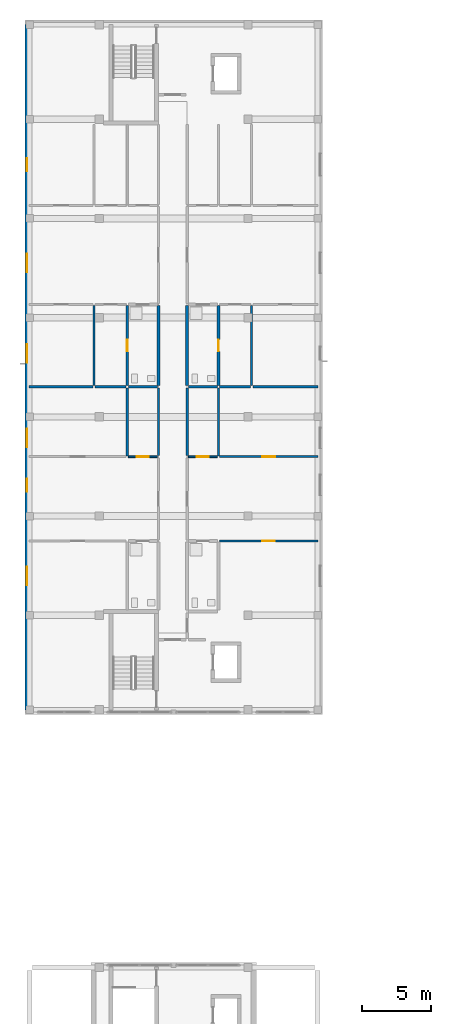
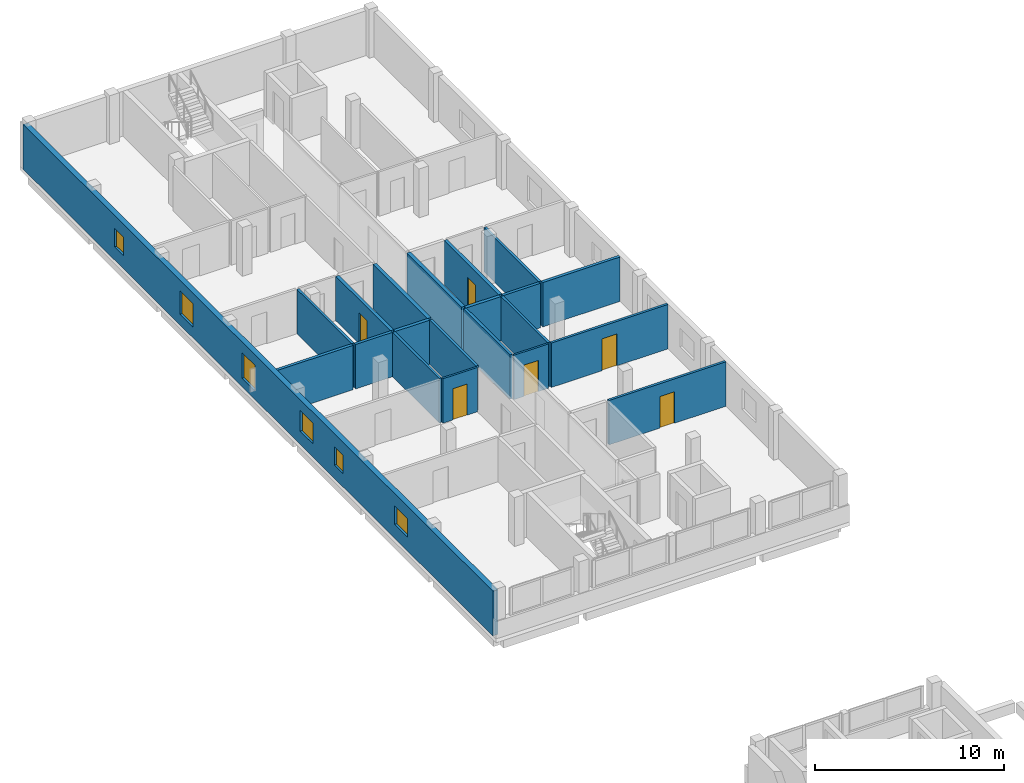
# One storey, part 14 of 34: 21 walls, 6 doors, 6 windows, 12 openings.
"""IFC4 building model written with IfcOpenShell, lengths in metres."""

from ifc_helpers import new_model, si_unit, derived_unit, direction, frame, frame_2d, origin, place, context, subcontext, project, spatial, rectangle, extrude, material, layer, layer_set, type_object, element, fill, save


model = new_model("IFC4")

# Units and contexts
model_context = context("Model", 3, precision=1e-05, world=origin(), true_north=direction((0.0, 1.0)))
body_context = subcontext(model_context, "Body", "Model", "MODEL_VIEW")
ifc_project = project(units=[si_unit("LENGTHUNIT", "METRE"), si_unit("AREAUNIT", "SQUARE_METRE"), si_unit("VOLUMEUNIT", "CUBIC_METRE"), si_unit("PLANEANGLEUNIT", "RADIAN"), si_unit("MASSUNIT", "GRAM", prefix="KILO"), derived_unit("THERMALTRANSMITTANCEUNIT", [(si_unit("MASSUNIT", "GRAM", prefix="KILO"), 1), (si_unit("TIMEUNIT", "SECOND"), -3), (si_unit("THERMODYNAMICTEMPERATUREUNIT", "KELVIN"), -1)])], contexts=[model_context])

# Site, building, storey
site_placement = place(None, origin())
site = spatial("IfcSite", under=ifc_project, at=site_placement, CompositionType="ELEMENT")
building_placement = place(site_placement, origin())
building = spatial("IfcBuilding", under=site, at=building_placement, Name="Ochrekiln Boulevard Commons", CompositionType="ELEMENT")
storey_placement = place(building_placement, frame((0.0, 0.0, 27.824951171875)))
storey = spatial("IfcBuildingStorey", under=building, at=storey_placement, Name="L08", CompositionType="ELEMENT", Elevation=27.824951171875)

# Wall, openings, windows
ifc_material_1 = material(Name="Desert ochre clinker brick masonry ASTM C216 Grade SW", Category="masonry")
ifc_layer_1 = layer(ifc_material_1, 0.320068359375)
ifc_layer_set_1 = layer_set([ifc_layer_1], Name="Desert ochre clinker brick masonry ASTM C216 Grade SW")
wall_type_1 = type_object("IfcWallType", Name="WL-EXT-OCHRE-320", PredefinedType="SOLIDWALL", material=ifc_layer_set_1)
wall_1_placement = place(storey_placement, frame((0.159912109375, 68.719970703125, 0.0), z_axis=(0.0, 0.0, 1.0), x_axis=(0.0, 1.0, 0.0)))
wall_1 = element("IfcWall", 1, at=wall_1_placement, inside=storey, type_object=wall_type_1, Name="Block A L08 W Exterior Wall", PredefinedType="SOLIDWALL", context=body_context, shape_type="SweptSolid", body=[
    extrude(rectangle(XDim=49.760009765625, YDim=0.320068359375, at=frame_2d((24.8798828125, 0.0))), origin(), (0.0, 0.0, 1.0), 2.89013671875),
])
opening_1_placement = place(wall_1_placement, frame((15.85498046875, 0.0, 0.85009765625)))
opening_1 = element("IfcOpeningElement", 2, at=opening_1_placement, cuts=wall_1, Name="Opening W-01", PredefinedType="OPENING", context=body_context, shape_type="SweptSolid", body=[
    extrude(rectangle(XDim=0.949951171875, YDim=1.199951171875, at=frame_2d((0.47509765625, 0.60009765625))), frame((0.0, 0.169921875, 0.0), z_axis=(0.0, -1.0, 0.0), x_axis=(1.0, 0.0, 0.0)), (0.0, 0.0, 1.0), 0.340087890625),
])
opening_2_placement = place(wall_1_placement, frame((9.06103515625, 0.0, 0.89990234375)))
opening_2 = element("IfcOpeningElement", 3, at=opening_2_placement, cuts=wall_1, Name="Opening W-21", PredefinedType="OPENING", context=body_context, shape_type="SweptSolid", body=[
    extrude(rectangle(XDim=1.35009765625, YDim=1.199951171875, at=frame_2d((0.675048828125, 0.60009765625))), frame((0.0, 0.169921875, 0.0), z_axis=(0.0, -1.0, 0.0), x_axis=(1.0, 0.0, 0.0)), (0.0, 0.0, 1.0), 0.340087890625),
])
opening_3_placement = place(wall_1_placement, frame((19.06494140625, 0.0, 0.85498046875)))
opening_3 = element("IfcOpeningElement", 4, at=opening_3_placement, cuts=wall_1, Name="Opening W-22", PredefinedType="OPENING", context=body_context, shape_type="SweptSolid", body=[
    extrude(rectangle(XDim=1.35009765625, YDim=1.35009765625, at=frame_2d((0.675048828125, 0.675048828125))), frame((0.0, 0.169921875, 0.0), z_axis=(0.0, -1.0, 0.0), x_axis=(1.0, 0.0, 0.0)), (0.0, 0.0, 1.0), 0.340087890625),
])
opening_4_placement = place(wall_1_placement, frame((31.783935546875, 0.0, 0.705078125)))
opening_4 = element("IfcOpeningElement", 5, at=opening_4_placement, cuts=wall_1, Name="Opening W-23", PredefinedType="OPENING", context=body_context, shape_type="SweptSolid", body=[
    extrude(rectangle(XDim=1.35009765625, YDim=1.5, at=frame_2d((0.675048828125, 0.75))), frame((0.0, 0.169921875, 0.0), z_axis=(0.0, -1.0, 0.0), x_axis=(1.0, 0.0, 0.0)), (0.0, 0.0, 1.0), 0.340087890625),
])
opening_5_placement = place(wall_1_placement, frame((25.2109375, 0.0, 0.554931640625)))
opening_5 = element("IfcOpeningElement", 6, at=opening_5_placement, cuts=wall_1, Name="Opening W-24", PredefinedType="OPENING", context=body_context, shape_type="SweptSolid", body=[
    extrude(rectangle(XDim=1.35009765625, YDim=1.64990234375, at=frame_2d((0.675048828125, 0.824951171875))), frame((0.0, 0.169921875, 0.0), z_axis=(0.0, -1.0, 0.0), x_axis=(1.0, 0.0, 0.0)), (0.0, 0.0, 1.0), 0.340087890625),
])
opening_6_placement = place(wall_1_placement, frame((39.113037109375, 0.0, 0.85009765625)))
opening_6 = element("IfcOpeningElement", 7, at=opening_6_placement, cuts=wall_1, Name="Opening W-01", PredefinedType="OPENING", context=body_context, shape_type="SweptSolid", body=[
    extrude(rectangle(XDim=0.949951171875, YDim=1.199951171875, at=frame_2d((0.47509765625, 0.60009765625))), frame((0.0, 0.169921875, 0.0), z_axis=(0.0, -1.0, 0.0), x_axis=(1.0, 0.0, 0.0)), (0.0, 0.0, 1.0), 0.340087890625),
])
ifc_material_2 = material(Name="Thermally broken aluminium-clad oak frame", Category="aluminium")
window_type_1 = type_object("IfcWindowType", Name="WIN-EXT-01", PartitioningType="SINGLE_PANEL", PredefinedType="WINDOW", material=ifc_material_2)
window_1_placement = place(opening_1_placement, origin())
window_1 = element("IfcWindow", 8, at=window_1_placement, inside=storey, type_object=window_type_1, Name="Block A L08 Punched Masonry Window W-01", OverallHeight=1.199951171875, OverallWidth=0.949951171875, PartitioningType="SINGLE_PANEL", PredefinedType="WINDOW", context=body_context, shape_type="SweptSolid", body=[
    extrude(rectangle(XDim=0.949951171875, YDim=1.199951171875, at=frame_2d((0.47509765625, 0.60009765625))), frame((0.0, 0.030029296875, 0.0), z_axis=(0.0, -1.0, 0.0), x_axis=(1.0, 0.0, 0.0)), (0.0, 0.0, 1.0), 0.06005859375),
])
fill(opening_1, window_1)
window_2_placement = place(opening_6_placement, origin())
window_2 = element("IfcWindow", 9, at=window_2_placement, inside=storey, type_object=window_type_1, Name="Block A L08 Punched Masonry Window W-01", OverallHeight=1.199951171875, OverallWidth=0.949951171875, PartitioningType="SINGLE_PANEL", PredefinedType="WINDOW", context=body_context, shape_type="SweptSolid", body=[
    extrude(rectangle(XDim=0.949951171875, YDim=1.199951171875, at=frame_2d((0.47509765625, 0.60009765625))), frame((0.0, 0.030029296875, 0.0), z_axis=(0.0, -1.0, 0.0), x_axis=(1.0, 0.0, 0.0)), (0.0, 0.0, 1.0), 0.06005859375),
])
fill(opening_6, window_2)
window_type_2 = type_object("IfcWindowType", Name="WIN-EXT-21", PartitioningType="SINGLE_PANEL", PredefinedType="WINDOW", material=ifc_material_2)
window_3_placement = place(opening_2_placement, origin())
window_3 = element("IfcWindow", 10, at=window_3_placement, inside=storey, type_object=window_type_2, Name="Block A L08 Punched Masonry Window W-21", OverallHeight=1.199951171875, OverallWidth=1.35009765625, PartitioningType="SINGLE_PANEL", PredefinedType="WINDOW", context=body_context, shape_type="SweptSolid", body=[
    extrude(rectangle(XDim=1.35009765625, YDim=1.199951171875, at=frame_2d((0.675048828125, 0.60009765625))), frame((0.0, 0.030029296875, 0.0), z_axis=(0.0, -1.0, 0.0), x_axis=(1.0, 0.0, 0.0)), (0.0, 0.0, 1.0), 0.06005859375),
])
fill(opening_2, window_3)
window_type_3 = type_object("IfcWindowType", Name="WIN-EXT-22", PartitioningType="SINGLE_PANEL", PredefinedType="WINDOW", material=ifc_material_2)
window_4_placement = place(opening_3_placement, origin())
window_4 = element("IfcWindow", 11, at=window_4_placement, inside=storey, type_object=window_type_3, Name="Block A L08 Punched Masonry Window W-22", OverallHeight=1.35009765625, OverallWidth=1.35009765625, PartitioningType="SINGLE_PANEL", PredefinedType="WINDOW", context=body_context, shape_type="SweptSolid", body=[
    extrude(rectangle(XDim=1.35009765625, YDim=1.35009765625, at=frame_2d((0.675048828125, 0.675048828125))), frame((0.0, 0.030029296875, 0.0), z_axis=(0.0, -1.0, 0.0), x_axis=(1.0, 0.0, 0.0)), (0.0, 0.0, 1.0), 0.06005859375),
])
fill(opening_3, window_4)
window_type_4 = type_object("IfcWindowType", Name="WIN-EXT-23", PartitioningType="SINGLE_PANEL", PredefinedType="WINDOW", material=ifc_material_2)
window_5_placement = place(opening_4_placement, origin())
window_5 = element("IfcWindow", 12, at=window_5_placement, inside=storey, type_object=window_type_4, Name="Block A L08 Punched Masonry Window W-23", OverallHeight=1.5, OverallWidth=1.35009765625, PartitioningType="SINGLE_PANEL", PredefinedType="WINDOW", context=body_context, shape_type="SweptSolid", body=[
    extrude(rectangle(XDim=1.35009765625, YDim=1.5, at=frame_2d((0.675048828125, 0.75))), frame((0.0, 0.030029296875, 0.0), z_axis=(0.0, -1.0, 0.0), x_axis=(1.0, 0.0, 0.0)), (0.0, 0.0, 1.0), 0.06005859375),
])
fill(opening_4, window_5)
window_type_5 = type_object("IfcWindowType", Name="WIN-EXT-24", PartitioningType="SINGLE_PANEL", PredefinedType="WINDOW", material=ifc_material_2)
window_6_placement = place(opening_5_placement, origin())
window_6 = element("IfcWindow", 13, at=window_6_placement, inside=storey, type_object=window_type_5, Name="Block A L08 Punched Masonry Window W-24", OverallHeight=1.64990234375, OverallWidth=1.35009765625, PartitioningType="SINGLE_PANEL", PredefinedType="WINDOW", context=body_context, shape_type="SweptSolid", body=[
    extrude(rectangle(XDim=1.35009765625, YDim=1.64990234375, at=frame_2d((0.675048828125, 0.824951171875))), frame((0.0, 0.030029296875, 0.0), z_axis=(0.0, -1.0, 0.0), x_axis=(1.0, 0.0, 0.0)), (0.0, 0.0, 1.0), 0.06005859375),
])
fill(opening_5, window_6)

# Wall
ifc_material_3 = material(Name="Moisture-resistant cementitious tile backer wall")
ifc_layer_2 = layer(ifc_material_3, 0.199951171875)
ifc_layer_set_2 = layer_set([ifc_layer_2], Name="Moisture-resistant cementitious tile backer wall")
wall_type_2 = type_object("IfcWallType", Name="WL-PLM-200", PredefinedType="PLUMBINGWALL", material=ifc_layer_set_2)
wall_2_placement = place(storey_placement, frame((7.52001953125, 92.19189453125, 0.0), z_axis=(0.0, 0.0, 1.0), x_axis=(1.0, 0.0, 0.0)))
element("IfcWall", 14, at=wall_2_placement, inside=storey, type_object=wall_type_2, Name="L08 Interior Wall W-PW200", PredefinedType="PLUMBINGWALL", context=body_context, shape_type="SweptSolid", body=[
    extrude(rectangle(XDim=2.10791015625, YDim=0.199951171875, at=frame_2d((1.053955078125, 0.0))), origin(), (0.0, 0.0, 1.0), 2.8701171875),
])

# Wall, opening, door
wall_3_placement = place(storey_placement, frame((7.43994140625, 92.281982421875, 0.0), z_axis=(0.0, 0.0, 1.0), x_axis=(0.0, 1.0, 0.0)))
wall_3 = element("IfcWall", 15, at=wall_3_placement, inside=storey, type_object=wall_type_2, Name="L08 Interior Wall W-PW200", PredefinedType="PLUMBINGWALL", context=body_context, shape_type="SweptSolid", body=[
    extrude(rectangle(XDim=5.804931640625, YDim=0.199951171875, at=frame_2d((2.90234375, 0.0))), origin(), (0.0, 0.0, 1.0), 2.8701171875),
])
opening_7_placement = place(wall_3_placement, frame((2.467041015625, 0.0, 0.0)))
opening_7 = element("IfcOpeningElement", 16, at=opening_7_placement, cuts=wall_3, Name="Opening D-L08-1019", PredefinedType="OPENING", context=body_context, shape_type="SweptSolid", body=[
    extrude(rectangle(XDim=0.85009765625, YDim=2.010009765625, at=frame_2d((0.425048828125, 1.0048828125))), frame((0.0, 0.10986328125, 0.0), z_axis=(0.0, -1.0, 0.0), x_axis=(1.0, 0.0, 0.0)), (0.0, 0.0, 1.0), 0.219970703125),
])
ifc_material_4 = material(Name="Solid core architectural oak door leaf")
door_type_1 = type_object("IfcDoorType", Name="DR-INT-KIT-085", OperationType="NOTDEFINED", PredefinedType="DOOR", material=ifc_material_4)
door_1_placement = place(opening_7_placement, frame((0.85009765625, 0.0, 0.0), z_axis=(0.0, 0.0, 1.0), x_axis=(-1.0, 0.0, 0.0)))
door_1 = element("IfcDoor", 17, at=door_1_placement, inside=storey, type_object=door_type_1, Name="L08 Interior Door to Apartment Bathroom", OperationType="SINGLE_SWING_LEFT", OverallHeight=2.010009765625, OverallWidth=0.85009765625, PredefinedType="DOOR", context=body_context, shape_type="SweptSolid", body=[
    extrude(rectangle(XDim=0.85009765625, YDim=2.010009765625, at=frame_2d((0.425048828125, 1.0048828125))), frame((0.0, 0.02490234375, 0.0), z_axis=(0.0, -1.0, 0.0), x_axis=(1.0, 0.0, 0.0)), (0.0, 0.0, 1.0), 0.050048828125),
])
fill(opening_7, door_1)

# Wall
wall_4_placement = place(storey_placement, frame((11.8720703125, 92.19189453125, 0.0), z_axis=(0.0, 0.0, 1.0), x_axis=(1.0, 0.0, 0.0)))
element("IfcWall", 18, at=wall_4_placement, inside=storey, type_object=wall_type_2, Name="L08 Interior Wall W-PW200", PredefinedType="PLUMBINGWALL", context=body_context, shape_type="SweptSolid", body=[
    extrude(rectangle(XDim=2.113037109375, YDim=0.199951171875, at=frame_2d((1.056640625, 0.0))), origin(), (0.0, 0.0, 1.0), 2.8701171875),
])

# Wall, opening, door
wall_5_placement = place(storey_placement, frame((14.06005859375, 92.281982421875, 0.0), z_axis=(0.0, 0.0, 1.0), x_axis=(0.0, 1.0, 0.0)))
wall_5 = element("IfcWall", 19, at=wall_5_placement, inside=storey, type_object=wall_type_2, Name="L08 Interior Wall W-PW200", PredefinedType="PLUMBINGWALL", context=body_context, shape_type="SweptSolid", body=[
    extrude(rectangle(XDim=5.804931640625, YDim=0.199951171875, at=frame_2d((2.90234375, 0.0))), origin(), (0.0, 0.0, 1.0), 2.8701171875),
])
opening_8_placement = place(wall_5_placement, frame((2.467041015625, 0.0, 0.0)))
opening_8 = element("IfcOpeningElement", 20, at=opening_8_placement, cuts=wall_5, Name="Opening D-L08-1030", PredefinedType="OPENING", context=body_context, shape_type="SweptSolid", body=[
    extrude(rectangle(XDim=0.85009765625, YDim=2.010009765625, at=frame_2d((0.425048828125, 1.0048828125))), frame((0.0, 0.10986328125, 0.0), z_axis=(0.0, -1.0, 0.0), x_axis=(1.0, 0.0, 0.0)), (0.0, 0.0, 1.0), 0.219970703125),
])
door_2_placement = place(opening_8_placement, origin())
door_2 = element("IfcDoor", 21, at=door_2_placement, inside=storey, type_object=door_type_1, Name="L08 Interior Door to Apartment Bathroom", OperationType="SINGLE_SWING_RIGHT", OverallHeight=2.010009765625, OverallWidth=0.85009765625, PredefinedType="DOOR", context=body_context, shape_type="SweptSolid", body=[
    extrude(rectangle(XDim=0.85009765625, YDim=2.010009765625, at=frame_2d((0.425048828125, 1.0048828125))), frame((0.0, 0.02490234375, 0.0), z_axis=(0.0, -1.0, 0.0), x_axis=(1.0, 0.0, 0.0)), (0.0, 0.0, 1.0), 0.050048828125),
])
fill(opening_8, door_2)

# Walls
ifc_layer_3 = layer(ifc_material_3, 0.219970703125)
ifc_layer_set_3 = layer_set([ifc_layer_3], Name="Moisture-resistant cementitious tile backer wall")
wall_type_3 = type_object("IfcWallType", Name="WL-PLM-220", PredefinedType="PLUMBINGWALL", material=ifc_layer_set_3)
for number, where, z_axis, x_axis, name in (
    (22, (9.7099609375, 92.281982421875, 0.0), (0.0, 0.0, 1.0), (0.0, 1.0, 0.0), "L08 Interior Wall W-PW220"),
    (23, (11.7900390625, 92.281982421875, 0.0), (0.0, 0.0, 1.0), (0.0, 1.0, 0.0), "L08 Interior Wall W-PW220"),
):
    element("IfcWall", number, at=place(storey_placement, frame(where, z_axis=z_axis, x_axis=x_axis)), inside=storey, type_object=wall_type_3, Name=name, PredefinedType="PLUMBINGWALL", context=body_context, shape_type="SweptSolid", body=[
        extrude(rectangle(XDim=5.784912109375, YDim=0.219970703125, at=frame_2d((2.892578125, 0.0))), origin(), (0.0, 0.0, 1.0), 2.8701171875),
    ])
ifc_material_5 = material(Name="Fire-rated Type X gypsum board on steel studs", Category="steel")
ifc_layer_4 = layer(ifc_material_5, 0.1650390625)
ifc_layer_set_4 = layer_set([ifc_layer_4], Name="Fire-rated Type X gypsum board on steel studs")
wall_type_4 = type_object("IfcWallType", Name="WL-PT-CORR-165", PredefinedType="PARTITIONING", material=ifc_layer_set_4)
for number, where, z_axis, x_axis, name in (
    (24, (9.7099609375, 87.18994140625, 0.0), (0.0, 0.0, 1.0), (0.0, 1.0, 0.0), "L08 Interior Wall W-PC165"),
    (25, (11.7900390625, 87.18994140625, 0.0), (0.0, 0.0, 1.0), (0.0, 1.0, 0.0), "L08 Interior Wall W-PC165"),
):
    element("IfcWall", number, at=place(storey_placement, frame(where, z_axis=z_axis, x_axis=x_axis)), inside=storey, type_object=wall_type_4, Name=name, PredefinedType="PARTITIONING", context=body_context, shape_type="SweptSolid", body=[
        extrude(rectangle(XDim=4.912109375, YDim=0.1650390625, at=frame_2d((2.4560546875, 0.0))), origin(), (0.0, 0.0, 1.0), 2.8701171875),
    ])
ifc_layer_5 = layer(ifc_material_5, 0.179931640625)
ifc_layer_set_5 = layer_set([ifc_layer_5], Name="Fire-rated Type X gypsum board on steel studs")
wall_type_5 = type_object("IfcWallType", Name="WL-PT-DEM-180", PredefinedType="PARTITIONING", material=ifc_layer_set_5)
wall_6_placement = place(storey_placement, frame((0.320068359375, 92.19189453125, 0.0), z_axis=(0.0, 0.0, 1.0), x_axis=(1.0, 0.0, 0.0)))
element("IfcWall", 26, at=wall_6_placement, inside=storey, type_object=wall_type_5, Name="L08 Interior Wall W-PD180", PredefinedType="PARTITIONING", context=body_context, shape_type="SweptSolid", body=[
    extrude(rectangle(XDim=4.6298828125, YDim=0.179931640625, at=frame_2d((2.31494140625, 0.0))), origin(), (0.0, 0.0, 1.0), 2.8701171875),
])
wall_7_placement = place(storey_placement, frame((5.110107421875, 92.19189453125, 0.0), z_axis=(0.0, 0.0, 1.0), x_axis=(1.0, 0.0, 0.0)))
element("IfcWall", 27, at=wall_7_placement, inside=storey, type_object=wall_type_5, Name="L08 Interior Wall W-PD180", PredefinedType="PARTITIONING", context=body_context, shape_type="SweptSolid", body=[
    extrude(rectangle(XDim=2.25, YDim=0.179931640625, at=frame_2d((1.125, 0.0))), origin(), (0.0, 0.0, 1.0), 2.8701171875),
])
wall_8_placement = place(storey_placement, frame((16.550048828125, 92.19189453125, 0.0), z_axis=(0.0, 0.0, 1.0), x_axis=(1.0, 0.0, 0.0)))
element("IfcWall", 28, at=wall_8_placement, inside=storey, type_object=wall_type_5, Name="L08 Interior Wall W-PD180", PredefinedType="PARTITIONING", context=body_context, shape_type="SweptSolid", body=[
    extrude(rectangle(XDim=4.72998046875, YDim=0.179931640625, at=frame_2d((2.364990234375, 0.0))), origin(), (0.0, 0.0, 1.0), 2.8701171875),
])
wall_9_placement = place(storey_placement, frame((14.135009765625, 92.19189453125, 0.0), z_axis=(0.0, 0.0, 1.0), x_axis=(1.0, 0.0, 0.0)))
element("IfcWall", 29, at=wall_9_placement, inside=storey, type_object=wall_type_5, Name="L08 Interior Wall W-PD180", PredefinedType="PARTITIONING", context=body_context, shape_type="SweptSolid", body=[
    extrude(rectangle(XDim=2.2548828125, YDim=0.179931640625, at=frame_2d((1.12744140625, 0.0))), origin(), (0.0, 0.0, 1.0), 2.8701171875),
])

# Wall, opening, door
ifc_layer_6 = layer(ifc_material_5, 0.1201171875)
ifc_layer_set_6 = layer_set([ifc_layer_6], Name="Fire-rated Type X gypsum board on steel studs")
wall_type_6 = type_object("IfcWallType", Name="WL-PT-LGT-120", PredefinedType="PARTITIONING", material=ifc_layer_set_6)
wall_10_placement = place(storey_placement, frame((7.52001953125, 87.110107421875, 0.0), z_axis=(0.0, 0.0, 1.0), x_axis=(1.0, 0.0, 0.0)))
wall_10 = element("IfcWall", 30, at=wall_10_placement, inside=storey, type_object=wall_type_6, Name="L08 Interior Wall W-PL120", PredefinedType="PARTITIONING", context=body_context, shape_type="SweptSolid", body=[
    extrude(rectangle(XDim=2.10791015625, YDim=0.1201171875, at=frame_2d((1.053955078125, 0.0))), origin(), (0.0, 0.0, 1.0), 2.8701171875),
])
opening_9_placement = place(wall_10_placement, frame((0.610107421875, 0.0, 0.0)))
opening_9 = element("IfcOpeningElement", 31, at=opening_9_placement, cuts=wall_10, Name="Opening D-L08-1010", PredefinedType="OPENING", context=body_context, shape_type="SweptSolid", body=[
    extrude(rectangle(XDim=0.8798828125, YDim=2.02001953125, at=frame_2d((0.43994140625, 1.010009765625))), frame((0.0, 0.070068359375, 0.0), z_axis=(0.0, -1.0, 0.0), x_axis=(1.0, 0.0, 0.0)), (0.0, 0.0, 1.0), 0.14013671875),
])
door_type_2 = type_object("IfcDoorType", Name="DR-INT-KIT-088", OperationType="NOTDEFINED", PredefinedType="DOOR", material=ifc_material_4)
door_3_placement = place(opening_9_placement, origin())
door_3 = element("IfcDoor", 32, at=door_3_placement, inside=storey, type_object=door_type_2, Name="L08 Interior Door to Apartment Kitchen", OperationType="SINGLE_SWING_RIGHT", OverallHeight=2.02001953125, OverallWidth=0.8798828125, PredefinedType="DOOR", context=body_context, shape_type="SweptSolid", body=[
    extrude(rectangle(XDim=0.8798828125, YDim=2.02001953125, at=frame_2d((0.43994140625, 1.010009765625))), frame((0.0, 0.02490234375, 0.0), z_axis=(0.0, -1.0, 0.0), x_axis=(1.0, 0.0, 0.0)), (0.0, 0.0, 1.0), 0.050048828125),
])
fill(opening_9, door_3)

wall_11_placement = place(storey_placement, frame((11.8720703125, 87.110107421875, 0.0), z_axis=(0.0, 0.0, 1.0), x_axis=(1.0, 0.0, 0.0)))
wall_11 = element("IfcWall", 33, at=wall_11_placement, inside=storey, type_object=wall_type_6, Name="L08 Interior Wall W-PL120", PredefinedType="PARTITIONING", context=body_context, shape_type="SweptSolid", body=[
    extrude(rectangle(XDim=2.10791015625, YDim=0.1201171875, at=frame_2d((1.053955078125, 0.0))), origin(), (0.0, 0.0, 1.0), 2.8701171875),
])
opening_10_placement = place(wall_11_placement, frame((0.617919921875, 0.0, 0.0)))
opening_10 = element("IfcOpeningElement", 34, at=opening_10_placement, cuts=wall_11, Name="Opening D-L08-1021", PredefinedType="OPENING", context=body_context, shape_type="SweptSolid", body=[
    extrude(rectangle(XDim=0.8798828125, YDim=2.02001953125, at=frame_2d((0.43994140625, 1.010009765625))), frame((0.0, 0.070068359375, 0.0), z_axis=(0.0, -1.0, 0.0), x_axis=(1.0, 0.0, 0.0)), (0.0, 0.0, 1.0), 0.14013671875),
])
door_4_placement = place(opening_10_placement, origin())
door_4 = element("IfcDoor", 35, at=door_4_placement, inside=storey, type_object=door_type_2, Name="L08 Interior Door to Apartment Kitchen", OperationType="SINGLE_SWING_LEFT", OverallHeight=2.02001953125, OverallWidth=0.8798828125, PredefinedType="DOOR", context=body_context, shape_type="SweptSolid", body=[
    extrude(rectangle(XDim=0.8798828125, YDim=2.02001953125, at=frame_2d((0.43994140625, 1.010009765625))), frame((0.0, 0.02490234375, 0.0), z_axis=(0.0, -1.0, 0.0), x_axis=(1.0, 0.0, 0.0)), (0.0, 0.0, 1.0), 0.050048828125),
])
fill(opening_10, door_4)

# Walls
ifc_layer_7 = layer(ifc_material_5, 0.14990234375)
ifc_layer_set_7 = layer_set([ifc_layer_7], Name="Fire-rated Type X gypsum board on steel studs")
wall_type_7 = type_object("IfcWallType", Name="WL-PT-STD-150", PredefinedType="PARTITIONING", material=ifc_layer_set_7)
wall_12_placement = place(storey_placement, frame((7.43994140625, 87.169921875, 0.0), z_axis=(0.0, 0.0, 1.0), x_axis=(0.0, 1.0, 0.0)))
element("IfcWall", 36, at=wall_12_placement, inside=storey, type_object=wall_type_7, Name="L08 Interior Wall W-PS150", PredefinedType="PARTITIONING", context=body_context, shape_type="SweptSolid", body=[
    extrude(rectangle(XDim=4.93212890625, YDim=0.14990234375, at=frame_2d((2.466064453125, 0.0))), origin(), (0.0, 0.0, 1.0), 2.8701171875),
])
wall_13_placement = place(storey_placement, frame((5.030029296875, 92.281982421875, 0.0), z_axis=(0.0, 0.0, 1.0), x_axis=(0.0, 1.0, 0.0)))
element("IfcWall", 37, at=wall_13_placement, inside=storey, type_object=wall_type_7, Name="L08 Interior Wall W-PS150", PredefinedType="PARTITIONING", context=body_context, shape_type="SweptSolid", body=[
    extrude(rectangle(XDim=5.7900390625, YDim=0.14990234375, at=frame_2d((2.89501953125, 0.0))), origin(), (0.0, 0.0, 1.0), 2.8701171875),
])

# Wall, opening, door
wall_14_placement = place(storey_placement, frame((14.139892578125, 80.991943359375, 0.0), z_axis=(0.0, 0.0, 1.0), x_axis=(1.0, 0.0, 0.0)))
wall_14 = element("IfcWall", 38, at=wall_14_placement, inside=storey, type_object=wall_type_7, Name="L08 Interior Wall W-PS150", PredefinedType="PARTITIONING", context=body_context, shape_type="SweptSolid", body=[
    extrude(rectangle(XDim=7.14013671875, YDim=0.14990234375, at=frame_2d((3.570068359375, 0.0))), origin(), (0.0, 0.0, 1.0), 2.8701171875),
])
opening_11_placement = place(wall_14_placement, frame((3.10498046875, 0.0, 0.0)))
opening_11 = element("IfcOpeningElement", 39, at=opening_11_placement, cuts=wall_14, Name="Opening D-L08-1022", PredefinedType="OPENING", context=body_context, shape_type="SweptSolid", body=[
    extrude(rectangle(XDim=0.89990234375, YDim=2.0400390625, at=frame_2d((0.449951171875, 1.02001953125))), frame((0.0, 0.0849609375, 0.0), z_axis=(0.0, -1.0, 0.0), x_axis=(1.0, 0.0, 0.0)), (0.0, 0.0, 1.0), 0.169921875),
])
door_type_3 = type_object("IfcDoorType", Name="DR-INT-BED-090", OperationType="NOTDEFINED", PredefinedType="DOOR", material=ifc_material_4)
door_5_placement = place(opening_11_placement, frame((0.89990234375, 0.0, 0.0), z_axis=(0.0, 0.0, 1.0), x_axis=(-1.0, 0.0, 0.0)))
door_5 = element("IfcDoor", 40, at=door_5_placement, inside=storey, type_object=door_type_3, Name="L08 Interior Door to Primary Apartment Bedroom", OperationType="SINGLE_SWING_RIGHT", OverallHeight=2.0400390625, OverallWidth=0.89990234375, PredefinedType="DOOR", context=body_context, shape_type="SweptSolid", body=[
    extrude(rectangle(XDim=0.89990234375, YDim=2.0400390625, at=frame_2d((0.449951171875, 1.02001953125))), frame((0.0, 0.02490234375, 0.0), z_axis=(0.0, -1.0, 0.0), x_axis=(1.0, 0.0, 0.0)), (0.0, 0.0, 1.0), 0.050048828125),
])
fill(opening_11, door_5)

wall_15_placement = place(storey_placement, frame((14.139892578125, 87.110107421875, 0.0), z_axis=(0.0, 0.0, 1.0), x_axis=(1.0, 0.0, 0.0)))
wall_15 = element("IfcWall", 41, at=wall_15_placement, inside=storey, type_object=wall_type_7, Name="L08 Interior Wall W-PS150", PredefinedType="PARTITIONING", context=body_context, shape_type="SweptSolid", body=[
    extrude(rectangle(XDim=7.14013671875, YDim=0.14990234375, at=frame_2d((3.570068359375, 0.0))), origin(), (0.0, 0.0, 1.0), 2.8701171875),
])
opening_12_placement = place(wall_15_placement, frame((3.0849609375, 0.0, 0.0)))
opening_12 = element("IfcOpeningElement", 42, at=opening_12_placement, cuts=wall_15, Name="Opening D-L08-1023", PredefinedType="OPENING", context=body_context, shape_type="SweptSolid", body=[
    extrude(rectangle(XDim=0.93994140625, YDim=2.06005859375, at=frame_2d((0.469970703125, 1.030029296875))), frame((0.0, 0.0849609375, 0.0), z_axis=(0.0, -1.0, 0.0), x_axis=(1.0, 0.0, 0.0)), (0.0, 0.0, 1.0), 0.169921875),
])
door_type_4 = type_object("IfcDoorType", Name="DR-INT-BED-094", OperationType="NOTDEFINED", PredefinedType="DOOR", material=ifc_material_4)
door_6_placement = place(opening_12_placement, origin())
door_6 = element("IfcDoor", 43, at=door_6_placement, inside=storey, type_object=door_type_4, Name="L08 Interior Door to Secondary Apartment Bedroom", OperationType="SINGLE_SWING_LEFT", OverallHeight=2.06005859375, OverallWidth=0.93994140625, PredefinedType="DOOR", context=body_context, shape_type="SweptSolid", body=[
    extrude(rectangle(XDim=0.93994140625, YDim=2.06005859375, at=frame_2d((0.469970703125, 1.030029296875))), frame((0.0, 0.02490234375, 0.0), z_axis=(0.0, -1.0, 0.0), x_axis=(1.0, 0.0, 0.0)), (0.0, 0.0, 1.0), 0.050048828125),
])
fill(opening_12, door_6)

# Walls
wall_16_placement = place(storey_placement, frame((14.06005859375, 87.169921875, 0.0), z_axis=(0.0, 0.0, 1.0), x_axis=(0.0, 1.0, 0.0)))
element("IfcWall", 44, at=wall_16_placement, inside=storey, type_object=wall_type_7, Name="L08 Interior Wall W-PS150", PredefinedType="PARTITIONING", context=body_context, shape_type="SweptSolid", body=[
    extrude(rectangle(XDim=4.93212890625, YDim=0.14990234375, at=frame_2d((2.466064453125, 0.0))), origin(), (0.0, 0.0, 1.0), 2.8701171875),
])
wall_17_placement = place(storey_placement, frame((16.469970703125, 92.281982421875, 0.0), z_axis=(0.0, 0.0, 1.0), x_axis=(0.0, 1.0, 0.0)))
element("IfcWall", 45, at=wall_17_placement, inside=storey, type_object=wall_type_7, Name="L08 Interior Wall W-PS150", PredefinedType="PARTITIONING", context=body_context, shape_type="SweptSolid", body=[
    extrude(rectangle(XDim=5.7900390625, YDim=0.14990234375, at=frame_2d((2.89501953125, 0.0))), origin(), (0.0, 0.0, 1.0), 2.8701171875),
])

save(model, "model.ifc")
